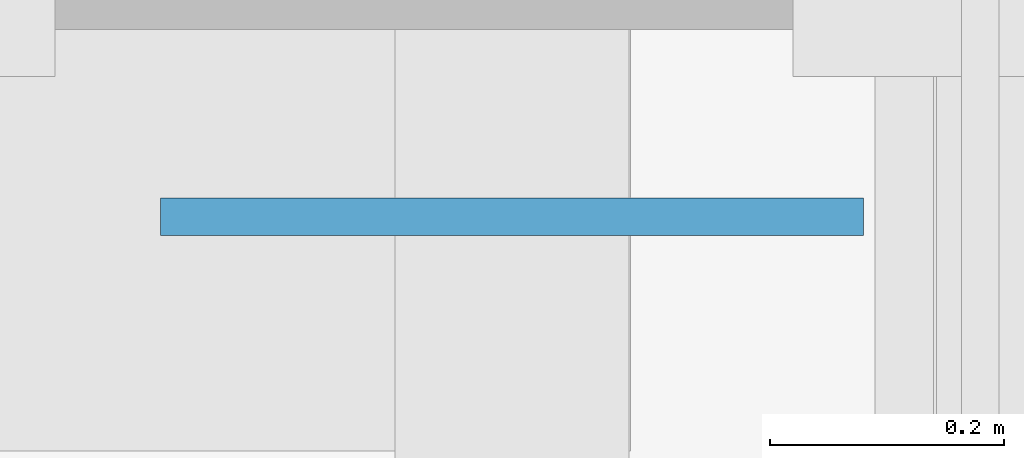
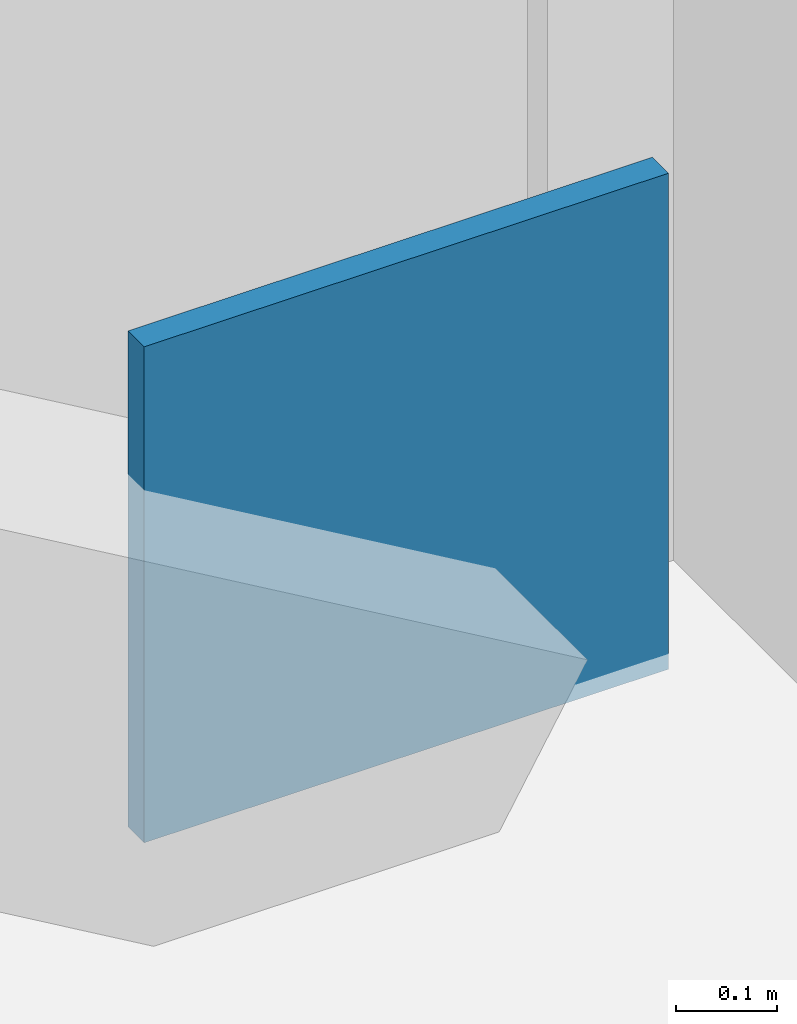
# One storey, part 27 of 31: 1 plate.
"""IFC4 building model written with IfcOpenShell, lengths in metres."""

import ifcopenshell
import ifcopenshell.guid

model = None  # the IFC model being written
_history = None  # IfcOwnerHistory: only IFC2X3 demands one
_inside = {}  # id of a spatial element -> (the spatial element, [elements in it])
_under = {}  # id of a project, library or spatial element -> (it, [spatial elements below it])
_declared = {}  # id of a project -> (the project, [libraries it declares])
_typed = {}  # id of a type object -> (the type object, [elements of that type])
_made_of = {}  # id of a material, layer set ... -> (it, [elements and type objects made of it])


def new_model(schema):
    """Start an empty IFC model of exactly this schema.

    Asked for "IFC4X3", IfcOpenShell would pick the latest addendum, in which some entities
    have other attributes; the version numbers below select the first issue.
    IFC2X3 requires an IfcOwnerHistory on every rooted entity: one is made here for all.
    """
    global model, _history
    if schema == "IFC4X3":
        model = ifcopenshell.file(schema_version=(4, 3, 0, 0))
    else:
        model = ifcopenshell.file(schema=schema)
    _inside.clear()
    _under.clear()
    _declared.clear()
    _typed.clear()
    _made_of.clear()
    _history = None
    if model.schema == "IFC2X3":
        org = make("IfcOrganization", Name="unknown")
        user = make(
            "IfcPersonAndOrganization",
            ThePerson=make("IfcPerson", FamilyName="unknown"),
            TheOrganization=org,
        )
        app = make(
            "IfcApplication",
            ApplicationDeveloper=org,
            Version="unknown",
            ApplicationFullName="unknown",
            ApplicationIdentifier="unknown",
        )
        _history = make(
            "IfcOwnerHistory",
            OwningUser=user,
            OwningApplication=app,
            ChangeAction="ADDED",
            CreationDate=0,
        )
    return model


def make(cls, **values):
    """One entity of the class cls with the attributes given. An attribute that is None is left unset."""
    return model.create_entity(
        cls, **{name: value for name, value in values.items() if value is not None}
    )


def rooted(cls, **values):
    """An entity with a GlobalId (a new one), such as an element, a storey or a relation."""
    return make(cls, GlobalId=ifcopenshell.guid.new(), OwnerHistory=_history, **values)


def si_unit(unit_type, name, prefix=None):
    """IfcSIUnit, for example si_unit("LENGTHUNIT", "METRE", prefix="MILLI")."""
    return make("IfcSIUnit", UnitType=unit_type, Prefix=prefix, Name=name)


def assignment(units):
    """IfcUnitAssignment: the units of a project."""
    return None if units is None else make("IfcUnitAssignment", Units=units)


def point(xyz):
    """IfcCartesianPoint."""
    return None if xyz is None else make("IfcCartesianPoint", Coordinates=xyz)


def direction(xyz):
    """IfcDirection."""
    return None if xyz is None else make("IfcDirection", DirectionRatios=xyz)


def frame(location, z_axis=None, x_axis=None):
    """IfcAxis2Placement3D, a coordinate frame: its origin and axes. An axis left out is left unset."""
    return make(
        "IfcAxis2Placement3D",
        Location=point(location),
        Axis=direction(z_axis),
        RefDirection=direction(x_axis),
    )


def frame_2d(location, x_axis=None):
    """IfcAxis2Placement2D, a coordinate frame in the plane: its origin and x axis."""
    return make(
        "IfcAxis2Placement2D", Location=point(location), RefDirection=direction(x_axis)
    )


def origin():
    """The frame at (0, 0, 0) with its axes left unset."""
    return frame((0.0, 0.0, 0.0))


def origin_2d():
    """The frame at (0, 0) in the plane with its x axis left unset."""
    return frame_2d((0.0, 0.0))


def place(relative_to, where):
    """IfcLocalPlacement: puts the frame where relative to a parent placement (None: the world)."""
    return make(
        "IfcLocalPlacement", PlacementRelTo=relative_to, RelativePlacement=where
    )


def context(
    kind, dimensions, precision=None, world=None, true_north=None, identifier=None
):
    """IfcGeometricRepresentationContext, for example the 3D "Model" context."""
    return make(
        "IfcGeometricRepresentationContext",
        ContextIdentifier=identifier,
        ContextType=kind,
        CoordinateSpaceDimension=dimensions,
        Precision=precision,
        WorldCoordinateSystem=world,
        TrueNorth=true_north,
    )


def subcontext(parent, identifier, kind, view, scale=None):
    """IfcGeometricRepresentationSubContext, for example "Body" below "Model"."""
    return make(
        "IfcGeometricRepresentationSubContext",
        ContextIdentifier=identifier,
        ContextType=kind,
        ParentContext=parent,
        TargetScale=scale,
        TargetView=view,
    )


def project(units=None, contexts=None):
    """IfcProject with its units and contexts."""
    return rooted(
        "IfcProject",
        Name="project",
        RepresentationContexts=contexts,
        UnitsInContext=assignment(units),
    )


def spatial(cls, under=None, at=None, **own):
    """A site, building, storey or space (cls), placed at a placement, below another one or the project."""
    s = rooted(cls, ObjectPlacement=at, **own)
    if under is not None:
        _under.setdefault(under.id(), (under, []))[1].append(s)
    return s


def profile(cls, at=None, kind="AREA", **sizes):
    """A parametric profile (cls). Its sizes go by their IFC names, for example OverallWidth=200.0."""
    return make(cls, ProfileType=kind, Position=at, **sizes)


def rectangle(**sizes):
    """IfcRectangleProfileDef."""
    return profile("IfcRectangleProfileDef", **sizes)


def extrude(swept, where, along, depth):
    """IfcExtrudedAreaSolid: the profile swept, set in the frame where, extruded along a direction by depth."""
    return make(
        "IfcExtrudedAreaSolid",
        SweptArea=swept,
        Position=where,
        ExtrudedDirection=direction(along),
        Depth=depth,
    )


def shape(context_of_items, identifier, shape_type, items):
    """IfcShapeRepresentation: the items that make up one representation, for example the "Body"."""
    return make(
        "IfcShapeRepresentation",
        ContextOfItems=context_of_items,
        RepresentationIdentifier=identifier,
        RepresentationType=shape_type,
        Items=items,
    )


def source(mapping_origin, context_of_items, identifier, shape_type, items):
    """IfcRepresentationMap: a shape defined once, which mapped items show again and again."""
    return make(
        "IfcRepresentationMap",
        MappingOrigin=mapping_origin,
        MappedRepresentation=shape(context_of_items, identifier, shape_type, items),
    )


def transform(
    local_origin,
    x_axis=None,
    y_axis=None,
    z_axis=None,
    scale=None,
    scale2=None,
    scale3=None,
    uniform=True,
):
    """IfcCartesianTransformationOperator3D, or its non-uniform kind. x_axis, y_axis, z_axis: its Axis1, 2, 3."""
    if uniform:
        return make(
            "IfcCartesianTransformationOperator3D",
            Axis1=direction(x_axis),
            Axis2=direction(y_axis),
            LocalOrigin=point(local_origin),
            Scale=scale,
            Axis3=direction(z_axis),
        )
    return make(
        "IfcCartesianTransformationOperator3DnonUniform",
        Axis1=direction(x_axis),
        Axis2=direction(y_axis),
        LocalOrigin=point(local_origin),
        Scale=scale,
        Axis3=direction(z_axis),
        Scale2=scale2,
        Scale3=scale3,
    )


def mapped(mapping_source, mapping_target):
    """IfcMappedItem: shows the shape of a source again, moved by a transform."""
    return make(
        "IfcMappedItem", MappingSource=mapping_source, MappingTarget=mapping_target
    )


def material(Name=None, Category=None):
    """IfcMaterial."""
    return make("IfcMaterial", Name=Name, Category=Category)


def layer(
    of_material, thickness, ventilated=None, Name=None, Category=None, Priority=None
):
    """IfcMaterialLayer: one layer of a wall or slab, of a material (None: an air gap)."""
    return make(
        "IfcMaterialLayer",
        Material=of_material,
        LayerThickness=thickness,
        IsVentilated=ventilated,
        Name=Name,
        Category=Category,
        Priority=Priority,
    )


def layer_set(layers, Name=None):
    """IfcMaterialLayerSet."""
    return make("IfcMaterialLayerSet", MaterialLayers=layers, LayerSetName=Name)


def made_of(thing, what):
    """Note that an element or type object is made of a material, layer set ...; save() writes the relation."""
    if what is not None:
        _made_of.setdefault(what.id(), (what, []))[1].append(thing)
    return thing


def type_object(cls, material=None, **own):
    """A type object (cls), such as IfcWallType, which elements share."""
    return made_of(rooted(cls, **own), material)


def element(
    cls,
    number,
    at=None,
    inside=None,
    cuts=None,
    type_object=None,
    material=None,
    context=None,
    identifier="Body",
    shape_type=None,
    held_by="IfcProductDefinitionShape",
    body=None,
    shapes=None,
    **own,
):
    """One element of the class cls, such as IfcWall. Its Tag is "e" and its number.

    at: its placement. inside: the storey or other place that contains it. cuts: it is an
    opening in that element (IfcRelVoidsElement). A single representation is given by context,
    identifier, shape_type and body (its items); several are given by shapes. held_by: the class
    of the entity that holds the representations. save() writes the other relations.
    """
    e = rooted(cls, Tag="e%d" % number, ObjectPlacement=at, **own)
    if body is not None:
        shapes = [shape(context, identifier, shape_type, body)]
    if shapes is not None:
        e.Representation = make(held_by, Representations=shapes)
    if inside is not None:
        _inside.setdefault(inside.id(), (inside, []))[1].append(e)
    if cuts is not None:
        rooted(
            "IfcRelVoidsElement", RelatingBuildingElement=cuts, RelatedOpeningElement=e
        )
    if type_object is not None:
        _typed.setdefault(type_object.id(), (type_object, []))[1].append(e)
    return made_of(e, material)


def aggregate(whole, parts):
    """IfcRelAggregates: a whole, such as a stair, and the parts it consists of."""
    return rooted("IfcRelAggregates", RelatingObject=whole, RelatedObjects=parts)


def save(model, path):
    """Write the relations noted so far, then the file.

    IfcRelAggregates (storeys below a building ...), IfcRelContainedInSpatialStructure (elements
    in a storey), IfcRelDefinesByType, IfcRelAssociatesMaterial and IfcRelDeclares: one each for
    every whole, place, type object, material and project.
    """
    for whole, parts in _under.values():
        aggregate(whole, parts)
    for where, things in _inside.values():
        rooted(
            "IfcRelContainedInSpatialStructure",
            RelatedElements=things,
            RelatingStructure=where,
        )
    for kind, things in _typed.values():
        rooted("IfcRelDefinesByType", RelatedObjects=things, RelatingType=kind)
    for what, things in _made_of.values():
        rooted("IfcRelAssociatesMaterial", RelatedObjects=things, RelatingMaterial=what)
    for by, libraries in _declared.values():
        rooted("IfcRelDeclares", RelatingContext=by, RelatedDefinitions=libraries)
    model.write(path)


model = new_model("IFC4")

# Units and contexts
model_context = context("Model", 3, precision=1e-05, world=origin(), true_north=direction((0.0, 1.0)))
body_context = subcontext(model_context, "Body", "Model", "MODEL_VIEW")
ifc_project = project(units=[si_unit("LENGTHUNIT", "METRE"), si_unit("AREAUNIT", "SQUARE_METRE"), si_unit("VOLUMEUNIT", "CUBIC_METRE"), si_unit("PLANEANGLEUNIT", "RADIAN"), si_unit("MASSUNIT", "GRAM", prefix="KILO")], contexts=[model_context])

# Site, building, storey
site_placement = place(None, origin())
site = spatial("IfcSite", under=ifc_project, at=site_placement, CompositionType="ELEMENT")
building_placement = place(site_placement, origin())
building = spatial("IfcBuilding", under=site, at=building_placement, Name="Trelvane Seafront Commons", CompositionType="ELEMENT")
storey_placement = place(building_placement, frame((0.0, 0.0, 307.89990234375)))
storey = spatial("IfcBuildingStorey", under=building, at=storey_placement, Name="L80", CompositionType="ELEMENT", Elevation=307.89990234375)

# Plate
ifc_material = material(Name="Steel SM355 (S355)", Category="steel")
ifc_layer = layer(ifc_material, 0.031982421875, Name="STR-PLT-GUS2")
ifc_layer_set = layer_set([ifc_layer], Name="Steel SM355 (S355)")
plate_type = type_object("IfcPlateType", Name="STR-PLT-GUS2", PredefinedType="SHEET", material=ifc_layer_set)
shared_shape = source(origin(), body_context, "Body", "SweptSolid", [
    extrude(rectangle(XDim=0.60009765625, YDim=0.031982421875, at=origin_2d()), origin(), (0.0, 0.0, 1.0), 0.60009765625),
])
plate_placement = place(storey_placement, frame((65.60009765625, 44.10009765625, -0.02001953125), z_axis=(0.0, 0.0, 1.0), x_axis=(1.0, 0.0, 0.0)))
element("IfcPlate", 1, at=plate_placement, inside=storey, type_object=plate_type, Name="L80 Brace Connection Gusset Plate GP-129", PredefinedType="SHEET", context=body_context, shape_type="MappedRepresentation", body=[
    mapped(shared_shape, transform((0.0, 0.0, 0.0), x_axis=(1.0, 0.0, 0.0), y_axis=(0.0, 1.0, 0.0), z_axis=(0.0, 0.0, 1.0), scale=1.0)),
])

save(model, "model.ifc")
